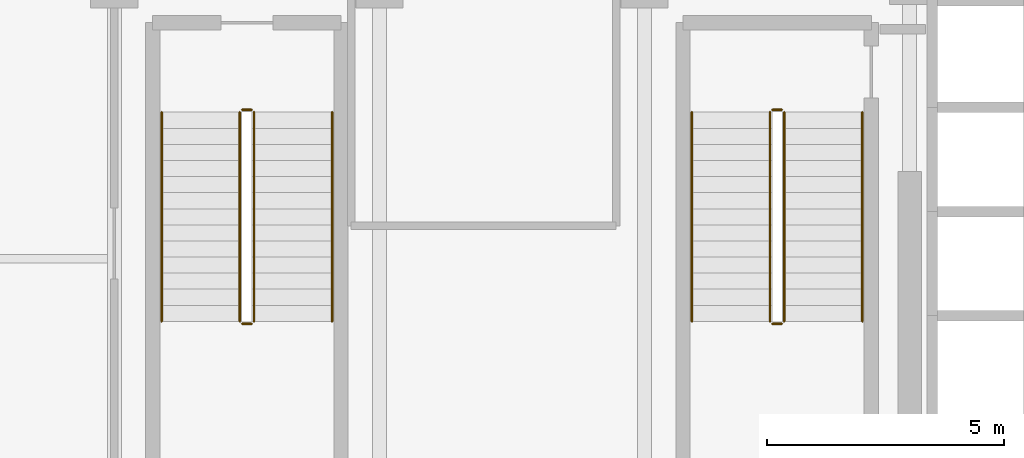
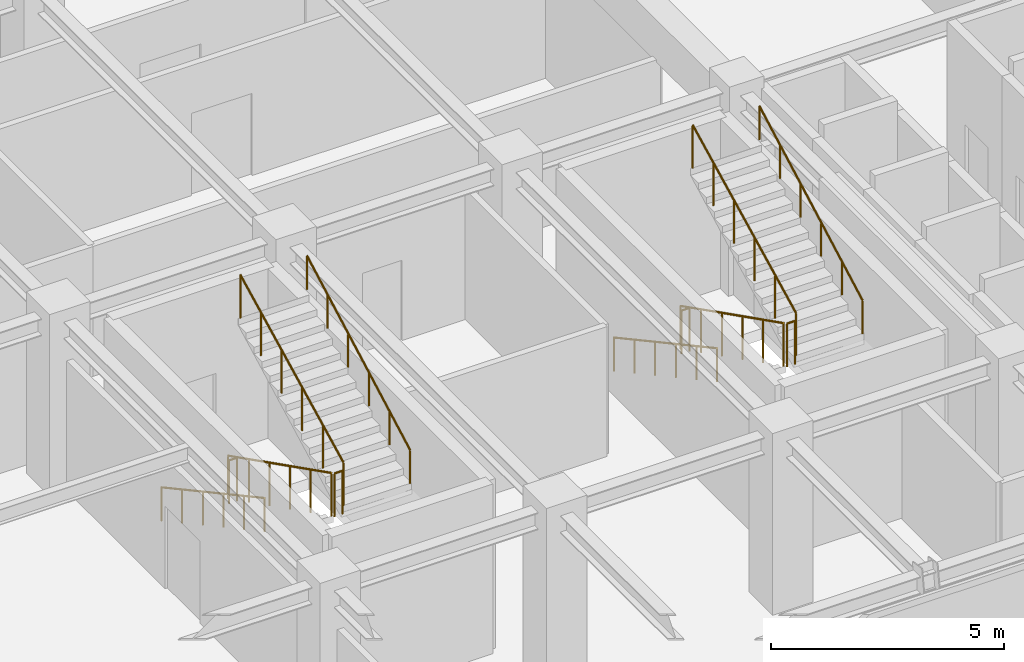
# One storey, part 25 of 28: 12 railings.
"""IFC4 building model written with IfcOpenShell, lengths in metres."""

from ifc_helpers import new_model, si_unit, direction, frame, origin, origin_2d, place, context, subcontext, project, spatial, circle, extrude, material, type_object, element, save


model = new_model("IFC4")

# Units and contexts
model_context = context("Model", 3, precision=1e-05, world=origin(), true_north=direction((0.0, 1.0)))
body_context = subcontext(model_context, "Body", "Model", "MODEL_VIEW")
ifc_project = project(units=[si_unit("LENGTHUNIT", "METRE"), si_unit("AREAUNIT", "SQUARE_METRE"), si_unit("VOLUMEUNIT", "CUBIC_METRE"), si_unit("PLANEANGLEUNIT", "RADIAN"), si_unit("MASSUNIT", "GRAM", prefix="KILO")], contexts=[model_context])

# Site, building, storey
site_placement = place(None, origin())
site = spatial("IfcSite", under=ifc_project, at=site_placement, CompositionType="ELEMENT")
building_placement = place(site_placement, origin())
building = spatial("IfcBuilding", under=site, at=building_placement, Name="Nahalor Promenade Grand Hotel", CompositionType="ELEMENT")
storey_placement = place(building_placement, frame((0.0, 0.0, 256.699951171875)))
storey = spatial("IfcBuildingStorey", under=building, at=storey_placement, Name="L66", CompositionType="ELEMENT", Elevation=256.699951171875)

# Railings
ifc_material = material(Name="Steel S355JR", Category="steel")
railing_type_1 = type_object("IfcRailingType", Name="Steel Stair Guardrail 1150 mm", PredefinedType="GUARDRAIL", material=ifc_material)
railing_1_placement = place(storey_placement, frame((5.449951171875, -8.10009765625, 0.17138671875)))
element("IfcRailing", 1, at=railing_1_placement, inside=storey, type_object=railing_type_1, Name="L66 ST2 stair guard 1", PredefinedType="GUARDRAIL", context=body_context, shape_type="SweptSolid", body=[
    extrude(circle(Radius=0.024048, at=origin_2d()), frame((0.0, 0.0, 1.1259765625), z_axis=(0.0, -0.892902951771, 0.450249174034), x_axis=(1.0, 0.0, 0.0)), (0.0, 0.0, 1.0), 4.949951171875),
    extrude(circle(Radius=0.020996, at=origin_2d()), origin(), (0.0, 0.0, 1.0), 1.099853515625),
    extrude(circle(Radius=0.020996, at=origin_2d()), frame((0.0, -0.884033203125, 0.44580078125)), (0.0, 0.0, 1.0), 1.099853515625),
    extrude(circle(Radius=0.020996, at=origin_2d()), frame((0.0, -1.76806640625, 0.8916015625)), (0.0, 0.0, 1.0), 1.099853515625),
    extrude(circle(Radius=0.020996, at=origin_2d()), frame((0.0, -2.65185546875, 1.337158203125)), (0.0, 0.0, 1.0), 1.099853515625),
    extrude(circle(Radius=0.020996, at=origin_2d()), frame((0.0, -3.535888671875, 1.782958984375)), (0.0, 0.0, 1.0), 1.099853515625),
    extrude(circle(Radius=0.020996, at=origin_2d()), frame((0.0, -4.419921875, 2.228759765625)), (0.0, 0.0, 1.0), 1.099853515625),
])
railing_2_placement = place(storey_placement, frame((5.5, -12.570068359375, 2.400146484375)))
element("IfcRailing", 2, at=railing_2_placement, inside=storey, type_object=railing_type_1, Name="L66 ST2 stair guard 2", PredefinedType="GUARDRAIL", context=body_context, shape_type="SweptSolid", body=[
    extrude(circle(Radius=0.024048, at=origin_2d()), frame((0.0, 0.0, 1.1259765625), z_axis=(1.0, 0.0, 0.0), x_axis=(0.0, 1.0, 0.0)), (0.0, 0.0, 1.0), 0.199951171875),
    extrude(circle(Radius=0.020996, at=origin_2d()), origin(), (0.0, 0.0, 1.0), 1.099853515625),
    extrude(circle(Radius=0.020996, at=origin_2d()), frame((0.199951171875, 0.0, 0.0)), (0.0, 0.0, 1.0), 1.099853515625),
])
railing_3_placement = place(storey_placement, frame((5.75, -12.52001953125, 2.571533203125)))
element("IfcRailing", 3, at=railing_3_placement, inside=storey, type_object=railing_type_1, Name="L66 ST2 stair guard 3", PredefinedType="GUARDRAIL", context=body_context, shape_type="SweptSolid", body=[
    extrude(circle(Radius=0.024048, at=origin_2d()), frame((0.0, 0.0, 1.1259765625), z_axis=(0.0, 0.89292277971, 0.450209850486), x_axis=(-1.0, 0.0, 0.0)), (0.0, 0.0, 1.0), 4.949951171875),
    extrude(circle(Radius=0.020996, at=origin_2d()), origin(), (0.0, 0.0, 1.0), 1.099853515625),
    extrude(circle(Radius=0.020996, at=origin_2d()), frame((0.0, 0.884033203125, 0.44580078125)), (0.0, 0.0, 1.0), 1.099853515625),
    extrude(circle(Radius=0.020996, at=origin_2d()), frame((0.0, 1.76806640625, 0.891357421875)), (0.0, 0.0, 1.0), 1.099853515625),
    extrude(circle(Radius=0.020996, at=origin_2d()), frame((0.0, 2.65185546875, 1.337158203125)), (0.0, 0.0, 1.0), 1.099853515625),
    extrude(circle(Radius=0.020996, at=origin_2d()), frame((0.0, 3.535888671875, 1.78271484375)), (0.0, 0.0, 1.0), 1.099853515625),
    extrude(circle(Radius=0.020996, at=origin_2d()), frame((0.0, 4.419921875, 2.228515625)), (0.0, 0.0, 1.0), 1.099853515625),
])
railing_4_placement = place(storey_placement, frame((5.5, -8.050048828125, 0.0)))
element("IfcRailing", 4, at=railing_4_placement, inside=storey, type_object=railing_type_1, Name="L66 ST2 stair guard 4", PredefinedType="GUARDRAIL", context=body_context, shape_type="SweptSolid", body=[
    extrude(circle(Radius=0.024048, at=origin_2d()), frame((0.0, 0.0, 1.1259765625), z_axis=(1.0, 0.0, 0.0), x_axis=(0.0, 1.0, 0.0)), (0.0, 0.0, 1.0), 0.199951171875),
    extrude(circle(Radius=0.020996, at=origin_2d()), origin(), (0.0, 0.0, 1.0), 1.099853515625),
    extrude(circle(Radius=0.020996, at=origin_2d()), frame((0.199951171875, 0.0, 0.0)), (0.0, 0.0, 1.0), 1.099853515625),
])
railing_5_placement = place(storey_placement, frame((-5.75, -8.10009765625, 0.17138671875)))
element("IfcRailing", 5, at=railing_5_placement, inside=storey, type_object=railing_type_1, Name="L66 ST3 stair guard 1", PredefinedType="GUARDRAIL", context=body_context, shape_type="SweptSolid", body=[
    extrude(circle(Radius=0.024048, at=origin_2d()), frame((0.0, 0.0, 1.1259765625), z_axis=(0.0, -0.892902951771, 0.450249174034), x_axis=(1.0, 0.0, 0.0)), (0.0, 0.0, 1.0), 4.949951171875),
    extrude(circle(Radius=0.020996, at=origin_2d()), origin(), (0.0, 0.0, 1.0), 1.099853515625),
    extrude(circle(Radius=0.020996, at=origin_2d()), frame((0.0, -0.884033203125, 0.44580078125)), (0.0, 0.0, 1.0), 1.099853515625),
    extrude(circle(Radius=0.020996, at=origin_2d()), frame((0.0, -1.76806640625, 0.8916015625)), (0.0, 0.0, 1.0), 1.099853515625),
    extrude(circle(Radius=0.020996, at=origin_2d()), frame((0.0, -2.65185546875, 1.337158203125)), (0.0, 0.0, 1.0), 1.099853515625),
    extrude(circle(Radius=0.020996, at=origin_2d()), frame((0.0, -3.535888671875, 1.782958984375)), (0.0, 0.0, 1.0), 1.099853515625),
    extrude(circle(Radius=0.020996, at=origin_2d()), frame((0.0, -4.419921875, 2.228759765625)), (0.0, 0.0, 1.0), 1.099853515625),
])
railing_6_placement = place(storey_placement, frame((-5.699951171875, -12.570068359375, 2.400146484375)))
element("IfcRailing", 6, at=railing_6_placement, inside=storey, type_object=railing_type_1, Name="L66 ST3 stair guard 2", PredefinedType="GUARDRAIL", context=body_context, shape_type="SweptSolid", body=[
    extrude(circle(Radius=0.024048, at=origin_2d()), frame((0.0, 0.0, 1.1259765625), z_axis=(1.0, 0.0, 0.0), x_axis=(0.0, 1.0, 0.0)), (0.0, 0.0, 1.0), 0.199951171875),
    extrude(circle(Radius=0.020996, at=origin_2d()), origin(), (0.0, 0.0, 1.0), 1.099853515625),
    extrude(circle(Radius=0.020996, at=origin_2d()), frame((0.199951171875, 0.0, 0.0)), (0.0, 0.0, 1.0), 1.099853515625),
])
railing_7_placement = place(storey_placement, frame((-5.449951171875, -12.52001953125, 2.571533203125)))
element("IfcRailing", 7, at=railing_7_placement, inside=storey, type_object=railing_type_1, Name="L66 ST3 stair guard 3", PredefinedType="GUARDRAIL", context=body_context, shape_type="SweptSolid", body=[
    extrude(circle(Radius=0.024048, at=origin_2d()), frame((0.0, 0.0, 1.1259765625), z_axis=(0.0, 0.89292277971, 0.450209850486), x_axis=(-1.0, 0.0, 0.0)), (0.0, 0.0, 1.0), 4.949951171875),
    extrude(circle(Radius=0.020996, at=origin_2d()), origin(), (0.0, 0.0, 1.0), 1.099853515625),
    extrude(circle(Radius=0.020996, at=origin_2d()), frame((0.0, 0.884033203125, 0.44580078125)), (0.0, 0.0, 1.0), 1.099853515625),
    extrude(circle(Radius=0.020996, at=origin_2d()), frame((0.0, 1.76806640625, 0.891357421875)), (0.0, 0.0, 1.0), 1.099853515625),
    extrude(circle(Radius=0.020996, at=origin_2d()), frame((0.0, 2.65185546875, 1.337158203125)), (0.0, 0.0, 1.0), 1.099853515625),
    extrude(circle(Radius=0.020996, at=origin_2d()), frame((0.0, 3.535888671875, 1.78271484375)), (0.0, 0.0, 1.0), 1.099853515625),
    extrude(circle(Radius=0.020996, at=origin_2d()), frame((0.0, 4.419921875, 2.228515625)), (0.0, 0.0, 1.0), 1.099853515625),
])
railing_8_placement = place(storey_placement, frame((-5.699951171875, -8.050048828125, 0.0)))
element("IfcRailing", 8, at=railing_8_placement, inside=storey, type_object=railing_type_1, Name="L66 ST3 stair guard 4", PredefinedType="GUARDRAIL", context=body_context, shape_type="SweptSolid", body=[
    extrude(circle(Radius=0.024048, at=origin_2d()), frame((0.0, 0.0, 1.1259765625), z_axis=(1.0, 0.0, 0.0), x_axis=(0.0, 1.0, 0.0)), (0.0, 0.0, 1.0), 0.199951171875),
    extrude(circle(Radius=0.020996, at=origin_2d()), origin(), (0.0, 0.0, 1.0), 1.099853515625),
    extrude(circle(Radius=0.020996, at=origin_2d()), frame((0.199951171875, 0.0, 0.0)), (0.0, 0.0, 1.0), 1.099853515625),
])
railing_type_2 = type_object("IfcRailingType", Name="Steel Stair Handrail 900 mm", PredefinedType="HANDRAIL", material=ifc_material)
railing_9_placement = place(storey_placement, frame((3.800048828125, -8.10009765625, 0.17138671875)))
element("IfcRailing", 9, at=railing_9_placement, inside=storey, type_object=railing_type_2, Name="L66 ST2 stair handrail 1", PredefinedType="HANDRAIL", context=body_context, shape_type="SweptSolid", body=[
    extrude(circle(Radius=0.024048, at=origin_2d()), frame((0.0, 0.0, 0.8759765625), z_axis=(0.0, -0.878790038763, 0.477208620806), x_axis=(1.0, 0.0, 0.0)), (0.0, 0.0, 1.0), 5.029541015625),
    extrude(circle(Radius=0.020996, at=origin_2d()), origin(), (0.0, 0.0, 1.0), 0.849853515625),
    extrude(circle(Radius=0.020996, at=origin_2d()), frame((0.0, -0.884033203125, 0.47998046875)), (0.0, 0.0, 1.0), 0.849853515625),
    extrude(circle(Radius=0.020996, at=origin_2d()), frame((0.0, -1.76806640625, 0.9599609375)), (0.0, 0.0, 1.0), 0.849853515625),
    extrude(circle(Radius=0.020996, at=origin_2d()), frame((0.0, -2.65185546875, 1.440185546875)), (0.0, 0.0, 1.0), 0.849853515625),
    extrude(circle(Radius=0.020996, at=origin_2d()), frame((0.0, -3.535888671875, 1.920166015625)), (0.0, 0.0, 1.0), 0.849853515625),
    extrude(circle(Radius=0.020996, at=origin_2d()), frame((0.0, -4.419921875, 2.400146484375)), (0.0, 0.0, 1.0), 0.849853515625),
])
railing_10_placement = place(storey_placement, frame((7.39990234375, -12.52001953125, 2.571533203125)))
element("IfcRailing", 10, at=railing_10_placement, inside=storey, type_object=railing_type_2, Name="L66 ST2 stair handrail 2", PredefinedType="HANDRAIL", context=body_context, shape_type="SweptSolid", body=[
    extrude(circle(Radius=0.024048, at=origin_2d()), frame((0.0, 0.0, 0.8759765625), z_axis=(0.0, 0.878810394976, 0.477171132491), x_axis=(-1.0, 0.0, 0.0)), (0.0, 0.0, 1.0), 5.029541015625),
    extrude(circle(Radius=0.020996, at=origin_2d()), origin(), (0.0, 0.0, 1.0), 0.849853515625),
    extrude(circle(Radius=0.020996, at=origin_2d()), frame((0.0, 0.884033203125, 0.47998046875)), (0.0, 0.0, 1.0), 0.849853515625),
    extrude(circle(Radius=0.020996, at=origin_2d()), frame((0.0, 1.76806640625, 0.9599609375)), (0.0, 0.0, 1.0), 0.849853515625),
    extrude(circle(Radius=0.020996, at=origin_2d()), frame((0.0, 2.65185546875, 1.43994140625)), (0.0, 0.0, 1.0), 0.849853515625),
    extrude(circle(Radius=0.020996, at=origin_2d()), frame((0.0, 3.535888671875, 1.919921875)), (0.0, 0.0, 1.0), 0.849853515625),
    extrude(circle(Radius=0.020996, at=origin_2d()), frame((0.0, 4.419921875, 2.39990234375)), (0.0, 0.0, 1.0), 0.849853515625),
])
railing_11_placement = place(storey_placement, frame((-7.39990234375, -8.10009765625, 0.17138671875)))
element("IfcRailing", 11, at=railing_11_placement, inside=storey, type_object=railing_type_2, Name="L66 ST3 stair handrail 1", PredefinedType="HANDRAIL", context=body_context, shape_type="SweptSolid", body=[
    extrude(circle(Radius=0.024048, at=origin_2d()), frame((0.0, 0.0, 0.8759765625), z_axis=(0.0, -0.878790038763, 0.477208620806), x_axis=(1.0, 0.0, 0.0)), (0.0, 0.0, 1.0), 5.029541015625),
    extrude(circle(Radius=0.020996, at=origin_2d()), origin(), (0.0, 0.0, 1.0), 0.849853515625),
    extrude(circle(Radius=0.020996, at=origin_2d()), frame((0.0, -0.884033203125, 0.47998046875)), (0.0, 0.0, 1.0), 0.849853515625),
    extrude(circle(Radius=0.020996, at=origin_2d()), frame((0.0, -1.76806640625, 0.9599609375)), (0.0, 0.0, 1.0), 0.849853515625),
    extrude(circle(Radius=0.020996, at=origin_2d()), frame((0.0, -2.65185546875, 1.440185546875)), (0.0, 0.0, 1.0), 0.849853515625),
    extrude(circle(Radius=0.020996, at=origin_2d()), frame((0.0, -3.535888671875, 1.920166015625)), (0.0, 0.0, 1.0), 0.849853515625),
    extrude(circle(Radius=0.020996, at=origin_2d()), frame((0.0, -4.419921875, 2.400146484375)), (0.0, 0.0, 1.0), 0.849853515625),
])
railing_12_placement = place(storey_placement, frame((-3.800048828125, -12.52001953125, 2.571533203125)))
element("IfcRailing", 12, at=railing_12_placement, inside=storey, type_object=railing_type_2, Name="L66 ST3 stair handrail 2", PredefinedType="HANDRAIL", context=body_context, shape_type="SweptSolid", body=[
    extrude(circle(Radius=0.024048, at=origin_2d()), frame((0.0, 0.0, 0.8759765625), z_axis=(0.0, 0.878810394976, 0.477171132491), x_axis=(-1.0, 0.0, 0.0)), (0.0, 0.0, 1.0), 5.029541015625),
    extrude(circle(Radius=0.020996, at=origin_2d()), origin(), (0.0, 0.0, 1.0), 0.849853515625),
    extrude(circle(Radius=0.020996, at=origin_2d()), frame((0.0, 0.884033203125, 0.47998046875)), (0.0, 0.0, 1.0), 0.849853515625),
    extrude(circle(Radius=0.020996, at=origin_2d()), frame((0.0, 1.76806640625, 0.9599609375)), (0.0, 0.0, 1.0), 0.849853515625),
    extrude(circle(Radius=0.020996, at=origin_2d()), frame((0.0, 2.65185546875, 1.43994140625)), (0.0, 0.0, 1.0), 0.849853515625),
    extrude(circle(Radius=0.020996, at=origin_2d()), frame((0.0, 3.535888671875, 1.919921875)), (0.0, 0.0, 1.0), 0.849853515625),
    extrude(circle(Radius=0.020996, at=origin_2d()), frame((0.0, 4.419921875, 2.39990234375)), (0.0, 0.0, 1.0), 0.849853515625),
])

save(model, "model.ifc")
